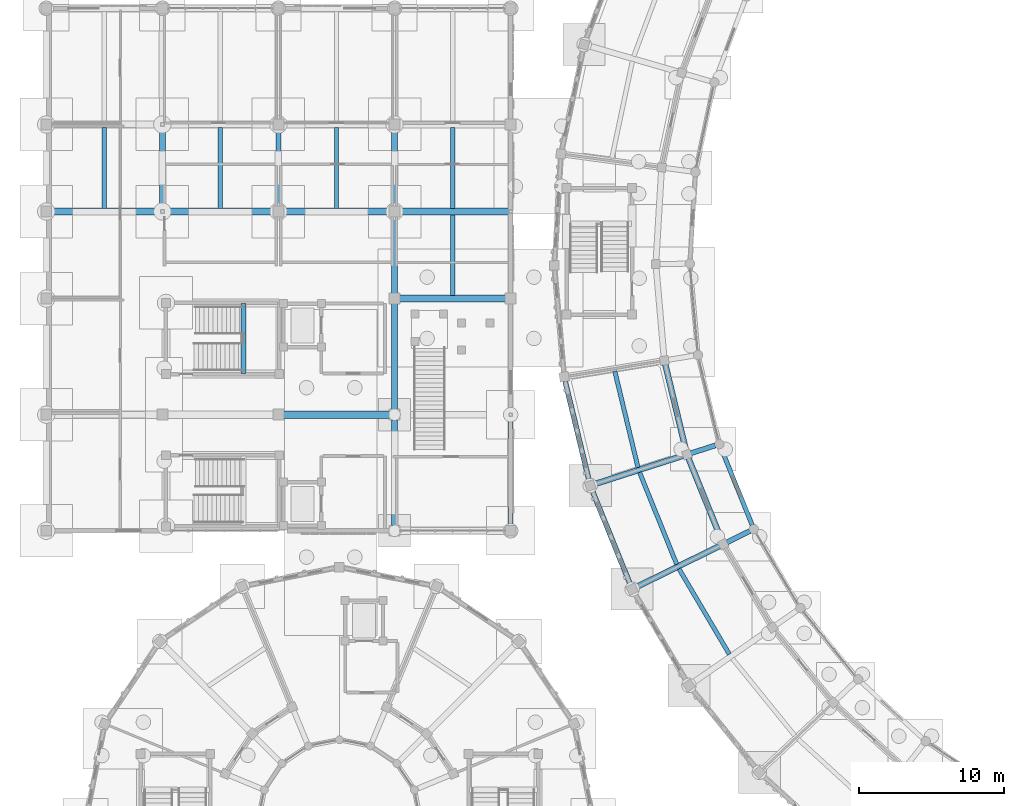
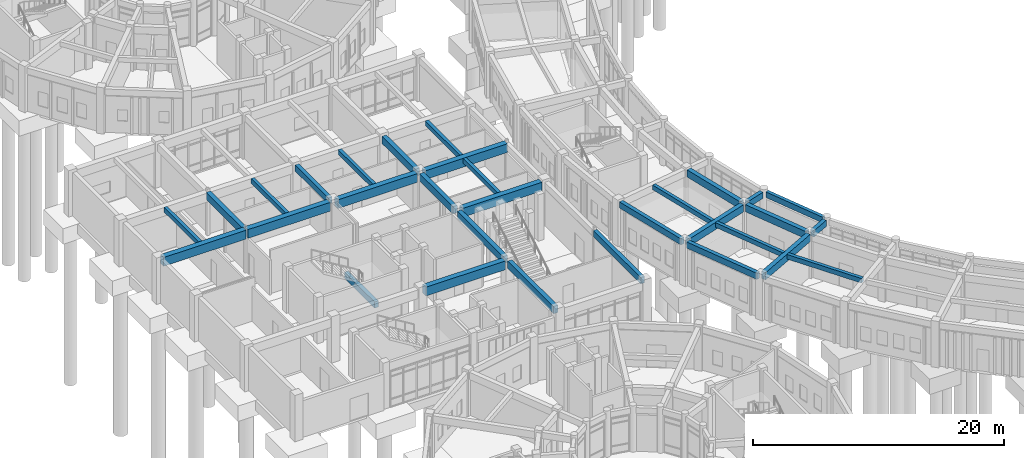
# One storey, part 30 of 153: 31 beams.
"""IFC4 building model written with IfcOpenShell, lengths in metres."""

import ifcopenshell
import ifcopenshell.guid

model = None  # the IFC model being written
_history = None  # IfcOwnerHistory: only IFC2X3 demands one
_inside = {}  # id of a spatial element -> (the spatial element, [elements in it])
_under = {}  # id of a project, library or spatial element -> (it, [spatial elements below it])
_declared = {}  # id of a project -> (the project, [libraries it declares])
_typed = {}  # id of a type object -> (the type object, [elements of that type])
_made_of = {}  # id of a material, layer set ... -> (it, [elements and type objects made of it])


def new_model(schema):
    """Start an empty IFC model of exactly this schema.

    Asked for "IFC4X3", IfcOpenShell would pick the latest addendum, in which some entities
    have other attributes; the version numbers below select the first issue.
    IFC2X3 requires an IfcOwnerHistory on every rooted entity: one is made here for all.
    """
    global model, _history
    if schema == "IFC4X3":
        model = ifcopenshell.file(schema_version=(4, 3, 0, 0))
    else:
        model = ifcopenshell.file(schema=schema)
    _inside.clear()
    _under.clear()
    _declared.clear()
    _typed.clear()
    _made_of.clear()
    _history = None
    if model.schema == "IFC2X3":
        org = make("IfcOrganization", Name="unknown")
        user = make(
            "IfcPersonAndOrganization",
            ThePerson=make("IfcPerson", FamilyName="unknown"),
            TheOrganization=org,
        )
        app = make(
            "IfcApplication",
            ApplicationDeveloper=org,
            Version="unknown",
            ApplicationFullName="unknown",
            ApplicationIdentifier="unknown",
        )
        _history = make(
            "IfcOwnerHistory",
            OwningUser=user,
            OwningApplication=app,
            ChangeAction="ADDED",
            CreationDate=0,
        )
    return model


def make(cls, **values):
    """One entity of the class cls with the attributes given. An attribute that is None is left unset."""
    return model.create_entity(
        cls, **{name: value for name, value in values.items() if value is not None}
    )


def rooted(cls, **values):
    """An entity with a GlobalId (a new one), such as an element, a storey or a relation."""
    return make(cls, GlobalId=ifcopenshell.guid.new(), OwnerHistory=_history, **values)


def si_unit(unit_type, name, prefix=None):
    """IfcSIUnit, for example si_unit("LENGTHUNIT", "METRE", prefix="MILLI")."""
    return make("IfcSIUnit", UnitType=unit_type, Prefix=prefix, Name=name)


def assignment(units):
    """IfcUnitAssignment: the units of a project."""
    return None if units is None else make("IfcUnitAssignment", Units=units)


def point(xyz):
    """IfcCartesianPoint."""
    return None if xyz is None else make("IfcCartesianPoint", Coordinates=xyz)


def direction(xyz):
    """IfcDirection."""
    return None if xyz is None else make("IfcDirection", DirectionRatios=xyz)


def frame(location, z_axis=None, x_axis=None):
    """IfcAxis2Placement3D, a coordinate frame: its origin and axes. An axis left out is left unset."""
    return make(
        "IfcAxis2Placement3D",
        Location=point(location),
        Axis=direction(z_axis),
        RefDirection=direction(x_axis),
    )


def frame_2d(location, x_axis=None):
    """IfcAxis2Placement2D, a coordinate frame in the plane: its origin and x axis."""
    return make(
        "IfcAxis2Placement2D", Location=point(location), RefDirection=direction(x_axis)
    )


def origin():
    """The frame at (0, 0, 0) with its axes left unset."""
    return frame((0.0, 0.0, 0.0))


def origin_2d():
    """The frame at (0, 0) in the plane with its x axis left unset."""
    return frame_2d((0.0, 0.0))


def place(relative_to, where):
    """IfcLocalPlacement: puts the frame where relative to a parent placement (None: the world)."""
    return make(
        "IfcLocalPlacement", PlacementRelTo=relative_to, RelativePlacement=where
    )


def context(
    kind, dimensions, precision=None, world=None, true_north=None, identifier=None
):
    """IfcGeometricRepresentationContext, for example the 3D "Model" context."""
    return make(
        "IfcGeometricRepresentationContext",
        ContextIdentifier=identifier,
        ContextType=kind,
        CoordinateSpaceDimension=dimensions,
        Precision=precision,
        WorldCoordinateSystem=world,
        TrueNorth=true_north,
    )


def subcontext(parent, identifier, kind, view, scale=None):
    """IfcGeometricRepresentationSubContext, for example "Body" below "Model"."""
    return make(
        "IfcGeometricRepresentationSubContext",
        ContextIdentifier=identifier,
        ContextType=kind,
        ParentContext=parent,
        TargetScale=scale,
        TargetView=view,
    )


def project(units=None, contexts=None):
    """IfcProject with its units and contexts."""
    return rooted(
        "IfcProject",
        Name="project",
        RepresentationContexts=contexts,
        UnitsInContext=assignment(units),
    )


def spatial(cls, under=None, at=None, **own):
    """A site, building, storey or space (cls), placed at a placement, below another one or the project."""
    s = rooted(cls, ObjectPlacement=at, **own)
    if under is not None:
        _under.setdefault(under.id(), (under, []))[1].append(s)
    return s


def profile(cls, at=None, kind="AREA", **sizes):
    """A parametric profile (cls). Its sizes go by their IFC names, for example OverallWidth=200.0."""
    return make(cls, ProfileType=kind, Position=at, **sizes)


def rectangle(**sizes):
    """IfcRectangleProfileDef."""
    return profile("IfcRectangleProfileDef", **sizes)


def extrude(swept, where, along, depth):
    """IfcExtrudedAreaSolid: the profile swept, set in the frame where, extruded along a direction by depth."""
    return make(
        "IfcExtrudedAreaSolid",
        SweptArea=swept,
        Position=where,
        ExtrudedDirection=direction(along),
        Depth=depth,
    )


def shape(context_of_items, identifier, shape_type, items):
    """IfcShapeRepresentation: the items that make up one representation, for example the "Body"."""
    return make(
        "IfcShapeRepresentation",
        ContextOfItems=context_of_items,
        RepresentationIdentifier=identifier,
        RepresentationType=shape_type,
        Items=items,
    )


def material(Name=None, Category=None):
    """IfcMaterial."""
    return make("IfcMaterial", Name=Name, Category=Category)


def material_profile(
    of_material, cross_section, Name=None, Category=None, Priority=None
):
    """IfcMaterialProfile: a cross section and its material."""
    return make(
        "IfcMaterialProfile",
        Name=Name,
        Material=of_material,
        Profile=cross_section,
        Priority=Priority,
        Category=Category,
    )


def profile_set(profiles, Name=None, composite=None):
    """IfcMaterialProfileSet."""
    return make(
        "IfcMaterialProfileSet",
        Name=Name,
        MaterialProfiles=profiles,
        CompositeProfile=composite,
    )


def made_of(thing, what):
    """Note that an element or type object is made of a material, layer set ...; save() writes the relation."""
    if what is not None:
        _made_of.setdefault(what.id(), (what, []))[1].append(thing)
    return thing


def type_object(cls, material=None, **own):
    """A type object (cls), such as IfcWallType, which elements share."""
    return made_of(rooted(cls, **own), material)


def element(
    cls,
    number,
    at=None,
    inside=None,
    cuts=None,
    type_object=None,
    material=None,
    context=None,
    identifier="Body",
    shape_type=None,
    held_by="IfcProductDefinitionShape",
    body=None,
    shapes=None,
    **own,
):
    """One element of the class cls, such as IfcWall. Its Tag is "e" and its number.

    at: its placement. inside: the storey or other place that contains it. cuts: it is an
    opening in that element (IfcRelVoidsElement). A single representation is given by context,
    identifier, shape_type and body (its items); several are given by shapes. held_by: the class
    of the entity that holds the representations. save() writes the other relations.
    """
    e = rooted(cls, Tag="e%d" % number, ObjectPlacement=at, **own)
    if body is not None:
        shapes = [shape(context, identifier, shape_type, body)]
    if shapes is not None:
        e.Representation = make(held_by, Representations=shapes)
    if inside is not None:
        _inside.setdefault(inside.id(), (inside, []))[1].append(e)
    if cuts is not None:
        rooted(
            "IfcRelVoidsElement", RelatingBuildingElement=cuts, RelatedOpeningElement=e
        )
    if type_object is not None:
        _typed.setdefault(type_object.id(), (type_object, []))[1].append(e)
    return made_of(e, material)


def aggregate(whole, parts):
    """IfcRelAggregates: a whole, such as a stair, and the parts it consists of."""
    return rooted("IfcRelAggregates", RelatingObject=whole, RelatedObjects=parts)


def save(model, path):
    """Write the relations noted so far, then the file.

    IfcRelAggregates (storeys below a building ...), IfcRelContainedInSpatialStructure (elements
    in a storey), IfcRelDefinesByType, IfcRelAssociatesMaterial and IfcRelDeclares: one each for
    every whole, place, type object, material and project.
    """
    for whole, parts in _under.values():
        aggregate(whole, parts)
    for where, things in _inside.values():
        rooted(
            "IfcRelContainedInSpatialStructure",
            RelatedElements=things,
            RelatingStructure=where,
        )
    for kind, things in _typed.values():
        rooted("IfcRelDefinesByType", RelatedObjects=things, RelatingType=kind)
    for what, things in _made_of.values():
        rooted("IfcRelAssociatesMaterial", RelatedObjects=things, RelatingMaterial=what)
    for by, libraries in _declared.values():
        rooted("IfcRelDeclares", RelatingContext=by, RelatedDefinitions=libraries)
    model.write(path)


model = new_model("IFC4")

# Units and contexts
model_context = context("Model", 3, precision=1e-05, world=origin(), true_north=direction((0.0, 1.0)))
body_context = subcontext(model_context, "Body", "Model", "MODEL_VIEW")
ifc_project = project(units=[si_unit("LENGTHUNIT", "METRE"), si_unit("AREAUNIT", "SQUARE_METRE"), si_unit("VOLUMEUNIT", "CUBIC_METRE"), si_unit("PLANEANGLEUNIT", "RADIAN"), si_unit("MASSUNIT", "GRAM", prefix="KILO")], contexts=[model_context])

# Site, building, storey
site_placement = place(None, origin())
site = spatial("IfcSite", under=ifc_project, at=site_placement, CompositionType="ELEMENT")
building_placement = place(site_placement, origin())
building = spatial("IfcBuilding", under=site, at=building_placement, Name="Celadon Cloister-Ring School", CompositionType="ELEMENT")
storey_placement = place(building_placement, origin())
storey = spatial("IfcBuildingStorey", under=building, at=storey_placement, Name="L00", CompositionType="ELEMENT", Elevation=0.0)

# Beams
ifc_material_1 = material(Name="Concrete C35/45", Category="concrete")
ifc_material_profile_1 = material_profile(ifc_material_1, rectangle(XDim=0.39990234375, YDim=0.699951171875, at=origin_2d()), Name="RC400X700")
ifc_profile_set_1 = profile_set([ifc_material_profile_1], Name="Concrete C35/45")
beam_type_1 = type_object("IfcBeamType", Name="BT-01", PredefinedType="BEAM", material=ifc_profile_set_1)
beam_1_placement = place(storey_placement, frame((8.0, 62.10009765625, 3.889892578125), z_axis=(0.0, 1.0, 0.0), x_axis=(-1.0, 0.0, 0.0)))
element("IfcBeam", 1, at=beam_1_placement, inside=storey, type_object=beam_type_1, Name="Beam 1495", PredefinedType="BEAM", context=body_context, shape_type="SweptSolid", body=[
    extrude(rectangle(XDim=0.39990234375, YDim=0.699951171875, at=origin_2d()), origin(), (0.0, 0.0, 1.0), 5.7998046875),
])
for number, where, z_axis, x_axis, name in (
    (2, (24.0, 40.35009765625, 3.889892578125), (0.0, 1.0, 0.0), (-1.0, 0.0, 0.0), "Beam 1499"),
    (3, (24.0, 48.35009765625, 3.889892578125), (0.0, 1.0, 0.0), (-1.0, 0.0, 0.0), "Beam 1500"),
):
    element("IfcBeam", number, at=place(storey_placement, frame(where, z_axis=z_axis, x_axis=x_axis)), inside=storey, type_object=beam_type_1, Name=name, PredefinedType="BEAM", context=body_context, shape_type="SweptSolid", body=[
        extrude(rectangle(XDim=0.39990234375, YDim=0.699951171875, at=origin_2d()), origin(), (0.0, 0.0, 1.0), 7.2998046875),
    ])
for number, where, z_axis, x_axis, name in (
    (4, (24.0, 56.35009765625, 3.889892578125), (0.0, 1.0, 0.0), (-1.0, 0.0, 0.0), "Beam 1501"),
    (5, (24.0, 62.35009765625, 3.889892578125), (0.0, 1.0, 0.0), (-1.0, 0.0, 0.0), "Beam 1502"),
):
    element("IfcBeam", number, at=place(storey_placement, frame(where, z_axis=z_axis, x_axis=x_axis)), inside=storey, type_object=beam_type_1, Name=name, PredefinedType="BEAM", context=body_context, shape_type="SweptSolid", body=[
        extrude(rectangle(XDim=0.39990234375, YDim=0.699951171875, at=origin_2d()), origin(), (0.0, 0.0, 1.0), 5.2998046875),
    ])
ifc_material_2 = material(Name="Concrete C35/45", Category="concrete")
ifc_material_profile_2 = material_profile(ifc_material_2, rectangle(XDim=0.35009765625, YDim=0.60009765625, at=origin_2d()), Name="RC350X600")
ifc_profile_set_2 = profile_set([ifc_material_profile_2], Name="Concrete C35/45")
beam_type_2 = type_object("IfcBeamType", Name="BT-02", PredefinedType="BEAM", material=ifc_profile_set_2)
beam_2_placement = place(storey_placement, frame((44.412109375, 45.340087890625, 3.97998046875), z_axis=(0.952385798673, 0.304895540286, 0.0), x_axis=(-0.304895540286, 0.952385798673, 0.0)))
element("IfcBeam", 6, at=beam_2_placement, inside=storey, type_object=beam_type_2, Name="Beam 0019", PredefinedType="BEAM", context=body_context, shape_type="SweptSolid", body=[
    extrude(rectangle(XDim=0.35009765625, YDim=0.60009765625, at=origin_2d()), origin(), (0.0, 0.0, 1.0), 1.7744140625),
])
beam_3_placement = place(storey_placement, frame((46.89794921875, 39.197998046875, 3.97998046875), z_axis=(0.896808796735, 0.442418333819, 0.0), x_axis=(-0.442418333819, 0.896808796735, 0.0)))
element("IfcBeam", 7, at=beam_3_placement, inside=storey, type_object=beam_type_2, Name="Beam 0021", PredefinedType="BEAM", context=body_context, shape_type="SweptSolid", body=[
    extrude(rectangle(XDim=0.35009765625, YDim=0.60009765625, at=origin_2d()), origin(), (0.0, 0.0, 1.0), 1.774169921875),
])
beam_4_placement = place(storey_placement, frame((16.0, 62.35009765625, 3.93994140625), z_axis=(0.0, 1.0, 0.0), x_axis=(-1.0, 0.0, 0.0)))
element("IfcBeam", 8, at=beam_4_placement, inside=storey, type_object=beam_type_2, Name="Beam 1497", PredefinedType="BEAM", context=body_context, shape_type="SweptSolid", body=[
    extrude(rectangle(XDim=0.35009765625, YDim=0.60009765625, at=origin_2d()), origin(), (0.0, 0.0, 1.0), 5.2998046875),
])
beam_5_placement = place(storey_placement, frame((32.0, 40.35009765625, 3.93994140625), z_axis=(0.0, 1.0, 0.0), x_axis=(-1.0, 0.0, 0.0)))
element("IfcBeam", 9, at=beam_5_placement, inside=storey, type_object=beam_type_2, Name="Beam 1504", PredefinedType="BEAM", context=body_context, shape_type="SweptSolid", body=[
    extrude(rectangle(XDim=0.35009765625, YDim=0.60009765625, at=origin_2d()), origin(), (0.0, 0.0, 1.0), 7.56494140625),
])
beam_6_placement = place(storey_placement, frame((13.60498046875, 50.85009765625, 1.64990234375), z_axis=(0.0, 1.0, 0.0), x_axis=(-1.0, 0.0, 0.0)))
element("IfcBeam", 10, at=beam_6_placement, inside=storey, type_object=beam_type_2, Name="Stair Landing Beam 1726", PredefinedType="BEAM", context=body_context, shape_type="SweptSolid", body=[
    extrude(rectangle(XDim=0.35009765625, YDim=0.60009765625, at=origin_2d()), origin(), (0.0, 0.0, 1.0), 4.7998046875),
])
ifc_material_3 = material(Name="Concrete C35/45", Category="concrete")
ifc_material_profile_3 = material_profile(ifc_material_3, rectangle(XDim=0.5, YDim=0.85009765625, at=origin_2d()), Name="RC500X850")
ifc_profile_set_3 = profile_set([ifc_material_profile_3], Name="Concrete C35/45")
beam_type_3 = type_object("IfcBeamType", Name="GT-01", PredefinedType="USERDEFINED", material=ifc_profile_set_3)
for number, where, z_axis, x_axis, name in (
    (11, (16.35009765625, 48.0, 3.81494140625), (1.0, 0.0, 0.0), (0.0, 1.0, 0.0), "Beam 1481"),
    (12, (24.35009765625, 56.0, 3.81494140625), (1.0, 0.0, 0.0), (0.0, 1.0, 0.0), "Beam 1482"),
):
    element("IfcBeam", number, at=place(storey_placement, frame(where, z_axis=z_axis, x_axis=x_axis)), inside=storey, type_object=beam_type_3, Name=name, ObjectType="GIRDER", PredefinedType="USERDEFINED", context=body_context, shape_type="SweptSolid", body=[
        extrude(rectangle(XDim=0.5, YDim=0.85009765625, at=origin_2d()), origin(), (0.0, 0.0, 1.0), 7.2998046875),
    ])
for number, where, z_axis, x_axis, name in (
    (13, (0.35009765625, 62.0, 3.81494140625), (1.0, 0.0, 0.0), (0.0, 1.0, 0.0), "Beam 1483"),
    (14, (8.10009765625, 62.0, 3.81494140625), (1.0, 0.0, 0.0), (0.0, 1.0, 0.0), "Beam 1484"),
):
    element("IfcBeam", number, at=place(storey_placement, frame(where, z_axis=z_axis, x_axis=x_axis)), inside=storey, type_object=beam_type_3, Name=name, ObjectType="GIRDER", PredefinedType="USERDEFINED", context=body_context, shape_type="SweptSolid", body=[
        extrude(rectangle(XDim=0.5, YDim=0.85009765625, at=origin_2d()), origin(), (0.0, 0.0, 1.0), 7.5498046875),
    ])
beam_7_placement = place(storey_placement, frame((16.35009765625, 62.0, 3.81494140625), z_axis=(1.0, 0.0, 0.0), x_axis=(0.0, 1.0, 0.0)))
element("IfcBeam", 15, at=beam_7_placement, inside=storey, type_object=beam_type_3, Name="Beam 1485", ObjectType="GIRDER", PredefinedType="USERDEFINED", context=body_context, shape_type="SweptSolid", body=[
    extrude(rectangle(XDim=0.5, YDim=0.85009765625, at=origin_2d()), origin(), (0.0, 0.0, 1.0), 7.2998046875),
])
beam_8_placement = place(storey_placement, frame((24.35009765625, 62.0, 3.81494140625), z_axis=(1.0, 0.0, 0.0), x_axis=(0.0, 1.0, 0.0)))
element("IfcBeam", 16, at=beam_8_placement, inside=storey, type_object=beam_type_3, Name="Beam 1486", ObjectType="GIRDER", PredefinedType="USERDEFINED", context=body_context, shape_type="SweptSolid", body=[
    extrude(rectangle(XDim=0.5, YDim=0.85009765625, at=origin_2d()), origin(), (0.0, 0.0, 1.0), 7.56494140625),
])
ifc_material_4 = material(Name="Concrete C35/45", Category="concrete")
ifc_material_profile_4 = material_profile(ifc_material_4, rectangle(XDim=0.39990234375, YDim=0.699951171875, at=origin_2d()), Name="RC400X700")
ifc_profile_set_4 = profile_set([ifc_material_profile_4], Name="Concrete C35/45")
beam_type_4 = type_object("IfcBeamType", Name="GT-03", PredefinedType="USERDEFINED", material=ifc_profile_set_4)
for number, where, z_axis, x_axis, name in (
    (17, (37.77099609375, 43.2099609375, 3.929931640625), (0.952209894137, 0.305444458957, 0.0), (-0.305444458957, 0.952209894137, 0.0), "Beam 0018"),
    (18, (40.64404296875, 36.110107421875, 3.929931640625), (0.896658258814, 0.442723352559, 0.0), (-0.442723352559, 0.896658258814, 0.0), "Beam 0020"),
):
    element("IfcBeam", number, at=place(storey_placement, frame(where, z_axis=z_axis, x_axis=x_axis)), inside=storey, type_object=beam_type_4, Name=name, ObjectType="GIRDER", PredefinedType="USERDEFINED", context=body_context, shape_type="SweptSolid", body=[
        extrude(rectangle(XDim=0.39990234375, YDim=0.699951171875, at=origin_2d()), origin(), (0.0, 0.0, 1.0), 6.423828125),
    ])
for number, where, z_axis, x_axis, name in (
    (19, (42.654052734375, 51.469970703125, 3.929931640625), (0.234083879197, -0.972216404665, 0.0), (0.972216404665, 0.234083879197, 0.0), "Beam 0100"),
    (20, (44.2529296875, 45.0009765625, 3.929931640625), (0.375220519631, -0.926935575781, 0.0), (0.926935575781, 0.375220519631, 0.0), "Beam 0104"),
):
    element("IfcBeam", number, at=place(storey_placement, frame(where, z_axis=z_axis, x_axis=x_axis)), inside=storey, type_object=beam_type_4, Name=name, ObjectType="GIRDER", PredefinedType="USERDEFINED", context=body_context, shape_type="SweptSolid", body=[
        extrude(rectangle(XDim=0.39990234375, YDim=0.699951171875, at=origin_2d()), origin(), (0.0, 0.0, 1.0), 6.116943359375),
    ])
ifc_material_5 = material(Name="Concrete C35/45", Category="concrete")
ifc_material_profile_5 = material_profile(ifc_material_5, rectangle(XDim=0.300048828125, YDim=0.449951171875, at=origin_2d()), Name="RC300X450")
ifc_profile_set_5 = profile_set([ifc_material_profile_5], Name="Concrete C35/45")
beam_type_5 = type_object("IfcBeamType", Name="JT-01", PredefinedType="JOIST", material=ifc_profile_set_5)
beam_9_placement = place(storey_placement, frame((39.177001953125, 51.001953125, 4.054931640625), z_axis=(0.234105107491, -0.972211293211, 0.0), x_axis=(0.972211293211, 0.234105107491, 0.0)))
element("IfcBeam", 21, at=beam_9_placement, inside=storey, type_object=beam_type_5, Name="Beam 0102", PredefinedType="JOIST", context=body_context, shape_type="SweptSolid", body=[
    extrude(rectangle(XDim=0.300048828125, YDim=0.449951171875, at=origin_2d()), origin(), (0.0, 0.0, 1.0), 6.8349609375),
])
beam_10_placement = place(storey_placement, frame((40.884033203125, 44.02490234375, 4.054931640625), z_axis=(0.374947237953, -0.927046152439, 0.0), x_axis=(0.927046152439, 0.374947237953, 0.0)))
element("IfcBeam", 22, at=beam_10_placement, inside=storey, type_object=beam_type_5, Name="Beam 0106", PredefinedType="JOIST", context=body_context, shape_type="SweptSolid", body=[
    extrude(rectangle(XDim=0.300048828125, YDim=0.449951171875, at=origin_2d()), origin(), (0.0, 0.0, 1.0), 6.835693359375),
])
beam_11_placement = place(storey_placement, frame((43.60205078125, 37.375, 4.054931640625), z_axis=(0.507998611561, -0.861357887671, 0.0), x_axis=(0.861357887671, 0.507998611561, 0.0)))
element("IfcBeam", 23, at=beam_11_placement, inside=storey, type_object=beam_type_5, Name="Beam 0110", PredefinedType="JOIST", context=body_context, shape_type="SweptSolid", body=[
    extrude(rectangle(XDim=0.300048828125, YDim=0.449951171875, at=origin_2d()), origin(), (0.0, 0.0, 1.0), 6.83447265625),
])
for number, where, z_axis, x_axis, name in (
    (24, (4.0, 62.22509765625, 4.014892578125), (0.0, 1.0, 0.0), (-1.0, 0.0, 0.0), "Beam 1509"),
    (25, (12.0, 62.22509765625, 4.014892578125), (0.0, 1.0, 0.0), (-1.0, 0.0, 0.0), "Beam 1511"),
    (26, (20.0, 62.22509765625, 4.014892578125), (0.0, 1.0, 0.0), (-1.0, 0.0, 0.0), "Beam 1513"),
    (27, (28.0, 56.22509765625, 4.014892578125), (0.0, 1.0, 0.0), (-1.0, 0.0, 0.0), "Beam 1515"),
    (28, (28.0, 62.22509765625, 4.014892578125), (0.0, 1.0, 0.0), (-1.0, 0.0, 0.0), "Beam 1516"),
):
    element("IfcBeam", number, at=place(storey_placement, frame(where, z_axis=z_axis, x_axis=x_axis)), inside=storey, type_object=beam_type_5, Name=name, PredefinedType="JOIST", context=body_context, shape_type="SweptSolid", body=[
        extrude(rectangle(XDim=0.300048828125, YDim=0.449951171875, at=origin_2d()), origin(), (0.0, 0.0, 1.0), 5.5498046875),
    ])
ifc_material_6 = material(Name="Concrete C35/45", Category="concrete")
ifc_material_profile_6 = material_profile(ifc_material_6, rectangle(XDim=0.35009765625, YDim=0.60009765625, at=origin_2d()), Name="RC350X600")
ifc_profile_set_6 = profile_set([ifc_material_profile_6], Name="Concrete C35/45")
beam_type_6 = type_object("IfcBeamType", Name="SP-01", PredefinedType="SPANDREL", material=ifc_profile_set_6)
beam_12_placement = place(storey_placement, frame((35.751953125, 50.31494140625, 3.97998046875), z_axis=(0.234155521866, -0.972199152221, 0.0), x_axis=(0.972199152221, 0.234155521866, 0.0)))
element("IfcBeam", 29, at=beam_12_placement, inside=storey, type_object=beam_type_6, Name="Beam 0099", PredefinedType="SPANDREL", context=body_context, shape_type="SweptSolid", body=[
    extrude(rectangle(XDim=0.35009765625, YDim=0.60009765625, at=origin_2d()), origin(), (0.0, 0.0, 1.0), 7.1025390625),
])
beam_13_placement = place(storey_placement, frame((37.597900390625, 42.840087890625, 3.97998046875), z_axis=(0.375026116818, -0.927014245686, 0.0), x_axis=(0.927014245686, 0.375026116818, 0.0)))
element("IfcBeam", 30, at=beam_13_placement, inside=storey, type_object=beam_type_6, Name="Beam 0103", PredefinedType="SPANDREL", context=body_context, shape_type="SweptSolid", body=[
    extrude(rectangle(XDim=0.35009765625, YDim=0.60009765625, at=origin_2d()), origin(), (0.0, 0.0, 1.0), 7.103759765625),
])
ifc_material_7 = material(Name="Concrete C35/45", Category="concrete")
ifc_material_profile_7 = material_profile(ifc_material_7, rectangle(XDim=0.300048828125, YDim=0.550048828125, at=origin_2d()), Name="RC300X550")
ifc_profile_set_7 = profile_set([ifc_material_profile_7], Name="Concrete C35/45")
beam_type_7 = type_object("IfcBeamType", Name="SP-02", PredefinedType="SPANDREL", material=ifc_profile_set_7)
beam_14_placement = place(storey_placement, frame((46.5009765625, 45.695068359375, 4.0048828125), z_axis=(0.374950797553, -0.927044712738, 0.0), x_axis=(0.927044712738, 0.374950797553, 0.0)))
element("IfcBeam", 31, at=beam_14_placement, inside=storey, type_object=beam_type_7, Name="Beam 0105", PredefinedType="SPANDREL", context=body_context, shape_type="SweptSolid", body=[
    extrude(rectangle(XDim=0.300048828125, YDim=0.550048828125, at=origin_2d()), origin(), (0.0, 0.0, 1.0), 5.71826171875),
])

save(model, "model.ifc")
